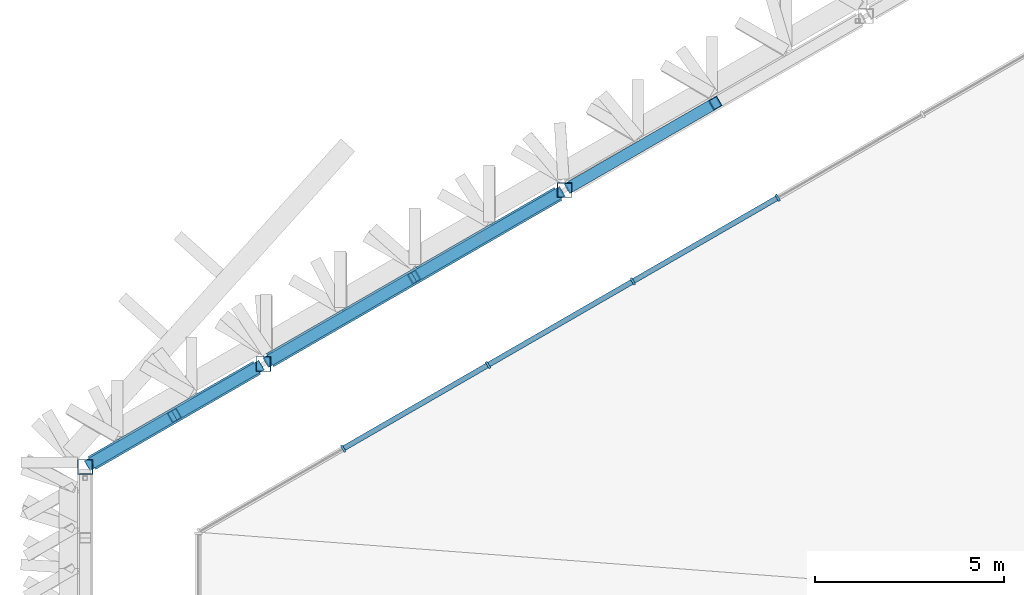
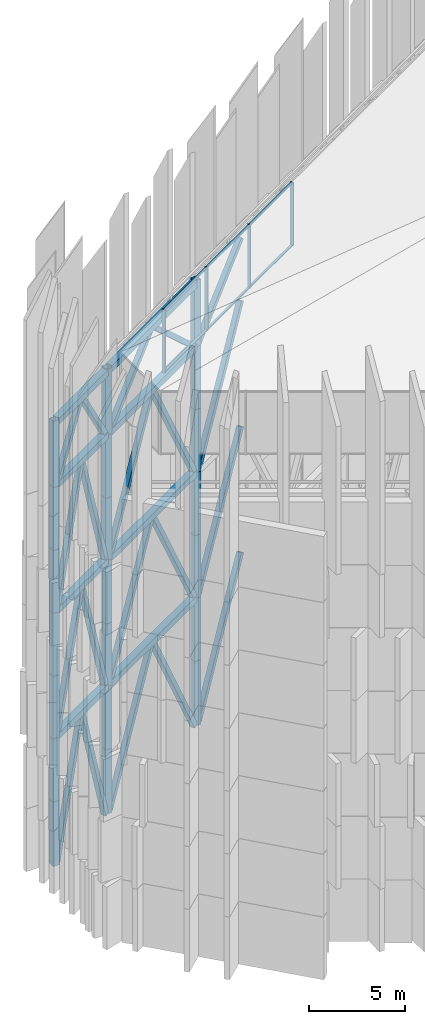
# One storey, part 10 of 45: 59 members, 1 element without a shape of its own.
"""IFC4 building model written with IfcOpenShell, lengths in metres."""

from ifc_helpers import new_model, si_unit, direction, frame, origin, origin_2d, place, context, subcontext, project, spatial, rectangle, hollow_rectangle, extrude, material, layer, layer_set, material_profile, profile_set, type_object, element, aggregate, save


model = new_model("IFC4")

# Units and contexts
model_context = context("Model", 3, precision=1e-05, world=origin(), true_north=direction((0.0, 1.0)))
body_context = subcontext(model_context, "Body", "Model", "MODEL_VIEW")
ifc_project = project(units=[si_unit("LENGTHUNIT", "METRE"), si_unit("AREAUNIT", "SQUARE_METRE"), si_unit("VOLUMEUNIT", "CUBIC_METRE"), si_unit("PLANEANGLEUNIT", "RADIAN"), si_unit("MASSUNIT", "GRAM", prefix="KILO")], contexts=[model_context])

# Site, building, storey
site_placement = place(None, origin())
site = spatial("IfcSite", under=ifc_project, at=site_placement, CompositionType="ELEMENT")
building_placement = place(site_placement, origin())
building = spatial("IfcBuilding", under=site, at=building_placement, Name="Jabali Bay Hotel Tower and Convention Centre", CompositionType="ELEMENT")
storey_placement = place(building_placement, frame((0.0, 0.0, 322.39990234375)))
storey = spatial("IfcBuildingStorey", under=building, at=storey_placement, Name="Crown", CompositionType="ELEMENT", Elevation=322.39990234375)

# Curtain wall, members
ifc_material_1 = material(Name="Aluminium and glass", Category="aluminium")
ifc_layer = layer(ifc_material_1, 0.199951171875)
ifc_layer_set = layer_set([ifc_layer], Name="Aluminium and glass")
curtain_wall_type = type_object("IfcCurtainWallType", Name="CW6 curtain wall", PredefinedType="NOTDEFINED", material=ifc_layer_set)
curtain_wall_placement = place(storey_placement, origin())
curtain_wall = element("IfcCurtainWall", 1, at=curtain_wall_placement, inside=storey, type_object=curtain_wall_type, Name="CW6 lantern glazing 3", PredefinedType="NOTDEFINED")
ifc_material_2 = material(Name="Aluminium", Category="aluminium")
ifc_material_profile_1 = material_profile(ifc_material_2, rectangle(XDim=0.199951171875, YDim=0.06005859375, at=origin_2d()), Name="CW6 mullion 60 x 200")
ifc_profile_set_1 = profile_set([ifc_material_profile_1], Name="Aluminium")
member_type_1 = type_object("IfcMemberType", Name="CW6 mullion 60 x 200", PredefinedType="MULLION", material=ifc_profile_set_1)
member_1_placement = place(storey_placement, frame((63.585693359375, 90.90234375, 28.35009765625), z_axis=(0.0, 0.0, 1.0), x_axis=(0.500000005124, -0.866025400826, 0.0)))
member_1 = element("IfcMember", 2, at=member_1_placement, type_object=member_type_1, Name="CW6 mullion 7", PredefinedType="MULLION", context=body_context, shape_type="SweptSolid", body=[
    extrude(rectangle(XDim=0.199951171875, YDim=0.06005859375, at=origin_2d()), origin(), (0.0, 0.0, 1.0), 4.0),
])
member_2_placement = place(storey_placement, frame((59.74560546875, 88.685302734375, 28.35009765625), z_axis=(0.0, 0.0, 1.0), x_axis=(0.500000005124, -0.866025400826, 0.0)))
member_2 = element("IfcMember", 3, at=member_2_placement, type_object=member_type_1, Name="CW6 mullion 8", PredefinedType="MULLION", context=body_context, shape_type="SweptSolid", body=[
    extrude(rectangle(XDim=0.199951171875, YDim=0.06005859375, at=origin_2d()), origin(), (0.0, 0.0, 1.0), 4.0),
])
member_3_placement = place(storey_placement, frame((55.90576171875, 86.46826171875, 28.35009765625), z_axis=(0.0, 0.0, 1.0), x_axis=(0.500000005124, -0.866025400826, 0.0)))
member_3 = element("IfcMember", 4, at=member_3_placement, type_object=member_type_1, Name="CW6 mullion 9", PredefinedType="MULLION", context=body_context, shape_type="SweptSolid", body=[
    extrude(rectangle(XDim=0.199951171875, YDim=0.06005859375, at=origin_2d()), origin(), (0.0, 0.0, 1.0), 4.0),
])
member_4_placement = place(storey_placement, frame((52.06591796875, 84.251220703125, 28.35009765625), z_axis=(0.0, 0.0, 1.0), x_axis=(0.500000005124, -0.866025400826, 0.0)))
member_4 = element("IfcMember", 5, at=member_4_placement, type_object=member_type_1, Name="CW6 mullion 10", PredefinedType="MULLION", context=body_context, shape_type="SweptSolid", body=[
    extrude(rectangle(XDim=0.199951171875, YDim=0.06005859375, at=origin_2d()), origin(), (0.0, 0.0, 1.0), 4.0),
])
ifc_material_profile_2 = material_profile(ifc_material_2, rectangle(XDim=0.139892578125, YDim=0.06005859375, at=origin_2d()), Name="CW6 transom 60 x 140")
ifc_profile_set_2 = profile_set([ifc_material_profile_2], Name="Aluminium")
member_type_2 = type_object("IfcMemberType", Name="CW6 transom 60 x 140", PredefinedType="USERDEFINED", material=ifc_profile_set_2)
member_5_placement = place(storey_placement, frame((63.5595703125, 90.88720703125, 28.380126953125), z_axis=(-0.866015480101, -0.500017187931, 0.0), x_axis=(0.500017187931, -0.866015480101, 0.0)))
member_5 = element("IfcMember", 6, at=member_5_placement, type_object=member_type_2, Name="CW6 transom 7.1", ObjectType="TRANSOM", PredefinedType="USERDEFINED", context=body_context, shape_type="SweptSolid", body=[
    extrude(rectangle(XDim=0.139892578125, YDim=0.06005859375, at=origin_2d()), origin(), (0.0, 0.0, 1.0), 4.373779296875),
])
member_6_placement = place(storey_placement, frame((63.5595703125, 90.88720703125, 32.320068359375), z_axis=(-0.866015480101, -0.500017187931, 0.0), x_axis=(0.500017187931, -0.866015480101, 0.0)))
member_6 = element("IfcMember", 7, at=member_6_placement, type_object=member_type_2, Name="CW6 transom 7.2", ObjectType="TRANSOM", PredefinedType="USERDEFINED", context=body_context, shape_type="SweptSolid", body=[
    extrude(rectangle(XDim=0.139892578125, YDim=0.06005859375, at=origin_2d()), origin(), (0.0, 0.0, 1.0), 4.373779296875),
])
member_7_placement = place(storey_placement, frame((59.7197265625, 88.670166015625, 28.380126953125), z_axis=(-0.866015480101, -0.500017187931, 0.0), x_axis=(0.500017187931, -0.866015480101, 0.0)))
member_7 = element("IfcMember", 8, at=member_7_placement, type_object=member_type_2, Name="CW6 transom 8.1", ObjectType="TRANSOM", PredefinedType="USERDEFINED", context=body_context, shape_type="SweptSolid", body=[
    extrude(rectangle(XDim=0.139892578125, YDim=0.06005859375, at=origin_2d()), origin(), (0.0, 0.0, 1.0), 4.373779296875),
])
member_8_placement = place(storey_placement, frame((59.7197265625, 88.670166015625, 32.320068359375), z_axis=(-0.866015480101, -0.500017187931, 0.0), x_axis=(0.500017187931, -0.866015480101, 0.0)))
member_8 = element("IfcMember", 9, at=member_8_placement, type_object=member_type_2, Name="CW6 transom 8.2", ObjectType="TRANSOM", PredefinedType="USERDEFINED", context=body_context, shape_type="SweptSolid", body=[
    extrude(rectangle(XDim=0.139892578125, YDim=0.06005859375, at=origin_2d()), origin(), (0.0, 0.0, 1.0), 4.373779296875),
])
member_9_placement = place(storey_placement, frame((55.8798828125, 86.453125, 28.380126953125), z_axis=(-0.866053602686, -0.499951154889, 0.0), x_axis=(0.499951154889, -0.866053602686, 0.0)))
member_9 = element("IfcMember", 10, at=member_9_placement, type_object=member_type_2, Name="CW6 transom 9.1", ObjectType="TRANSOM", PredefinedType="USERDEFINED", context=body_context, shape_type="SweptSolid", body=[
    extrude(rectangle(XDim=0.139892578125, YDim=0.06005859375, at=origin_2d()), origin(), (0.0, 0.0, 1.0), 4.3740234375),
])
member_10_placement = place(storey_placement, frame((55.8798828125, 86.453125, 32.320068359375), z_axis=(-0.866053602686, -0.499951154889, 0.0), x_axis=(0.499951154889, -0.866053602686, 0.0)))
member_10 = element("IfcMember", 11, at=member_10_placement, type_object=member_type_2, Name="CW6 transom 9.2", ObjectType="TRANSOM", PredefinedType="USERDEFINED", context=body_context, shape_type="SweptSolid", body=[
    extrude(rectangle(XDim=0.139892578125, YDim=0.06005859375, at=origin_2d()), origin(), (0.0, 0.0, 1.0), 4.3740234375),
])
aggregate(curtain_wall, [member_1, member_2, member_3, member_4, member_5, member_6, member_7, member_8, member_9, member_10])

# Members
ifc_material_3 = material(Name="Steel Q420GJC", Category="steel")
ifc_material_profile_3 = material_profile(ifc_material_3, hollow_rectangle(XDim=0.300048828125, YDim=0.300048828125, WallThickness=0.01611328125, at=origin_2d()), Name="Crown frame brace 300x300x16")
ifc_profile_set_3 = profile_set([ifc_material_profile_3], Name="Steel Q420GJC")
member_type_3 = type_object("IfcMemberType", Name="Crown frame brace 300x300x16", PredefinedType="USERDEFINED", material=ifc_profile_set_3)
for number, where, z_axis, x_axis, name in (
    (12, (58.111572265625, 91.205810546875, -0.099853515625), (0.415356517765, 0.239807408653, 0.877480125077), (-0.5000018942, 0.866024310165, 0.0), "Crown brace 1 F1.3-F1.4r"),
    (13, (57.765380859375, 91.005859375, -0.099853515625), (-0.41535916138, -0.239782392735, 0.877485709964), (0.499960387168, -0.866048273056, 0.0), "Crown brace 1 F1.4-F1.5l"),
    (14, (50.12451171875, 86.594482421875, -0.099853515625), (0.415334554415, 0.239810052348, 0.877489798631), (-0.50002585838, 0.866010473927, 0.0), "Crown brace 1 F1.4-F1.5r"),
):
    element("IfcMember", number, at=place(storey_placement, frame(where, z_axis=z_axis, x_axis=x_axis)), inside=storey, type_object=member_type_3, Name=name, ObjectType="CROWN FRAME", PredefinedType="USERDEFINED", context=body_context, shape_type="SweptSolid", body=[
        extrude(hollow_rectangle(XDim=0.300048828125, YDim=0.300048828125, WallThickness=0.01611328125, at=origin_2d()), origin(), (0.0, 0.0, 1.0), 9.1982421875),
    ])
for number, where, z_axis, x_axis, name in (
    (15, (49.778076171875, 86.39453125, -0.099853515625), (-0.258862256531, -0.14946351074, 0.954280352465), (0.500023377642, -0.866011906276, 0.0), "Crown brace 1 F1.5-V3l"),
    (16, (45.399169921875, 83.8662109375, -0.099853515625), (0.258862256531, 0.14946351074, 0.954280352465), (-0.500023377642, 0.866011906276, 0.0), "Crown brace 1 F1.5-V3r"),
):
    element("IfcMember", number, at=place(storey_placement, frame(where, z_axis=z_axis, x_axis=x_axis)), inside=storey, type_object=member_type_3, Name=name, ObjectType="CROWN FRAME", PredefinedType="USERDEFINED", context=body_context, shape_type="SweptSolid", body=[
        extrude(hollow_rectangle(XDim=0.300048828125, YDim=0.300048828125, WallThickness=0.01611328125, at=origin_2d()), origin(), (0.0, 0.0, 1.0), 8.4580078125),
    ])
member_11_placement = place(storey_placement, frame((58.111572265625, 91.205810546875, 7.971435546875), z_axis=(0.419345319905, 0.242110356275, 0.874946900136), x_axis=(-0.5000018942, 0.866024310165, 0.0)))
element("IfcMember", 17, at=member_11_placement, inside=storey, type_object=member_type_3, Name="Crown brace 2 F1.3-F1.4r", ObjectType="CROWN FRAME", PredefinedType="USERDEFINED", context=body_context, shape_type="SweptSolid", body=[
    extrude(hollow_rectangle(XDim=0.300048828125, YDim=0.300048828125, WallThickness=0.01611328125, at=origin_2d()), origin(), (0.0, 0.0, 1.0), 9.11083984375),
])
for number, where, z_axis, x_axis, name in (
    (18, (57.765380859375, 91.005859375, 7.971435546875), (-0.419348040417, -0.242085129857, 0.874952576372), (0.499960387168, -0.866048273056, 0.0), "Crown brace 2 F1.4-F1.5l"),
    (19, (50.12451171875, 86.594482421875, 7.971435546875), (0.419323234848, 0.242113076869, 0.874956731916), (-0.50002585838, 0.866010473927, 0.0), "Crown brace 2 F1.4-F1.5r"),
):
    element("IfcMember", number, at=place(storey_placement, frame(where, z_axis=z_axis, x_axis=x_axis)), inside=storey, type_object=member_type_3, Name=name, ObjectType="CROWN FRAME", PredefinedType="USERDEFINED", context=body_context, shape_type="SweptSolid", body=[
        extrude(hollow_rectangle(XDim=0.300048828125, YDim=0.300048828125, WallThickness=0.01611328125, at=origin_2d()), origin(), (0.0, 0.0, 1.0), 9.110595703125),
    ])
for number, where, z_axis, x_axis, name in (
    (20, (49.778076171875, 86.39453125, 7.971435546875), (-0.261810179426, -0.151165600922, 0.953207422887), (0.500023377642, -0.866011906276, 0.0), "Crown brace 2 F1.5-V3l"),
    (21, (45.399169921875, 83.8662109375, 7.971435546875), (0.261810179426, 0.151165600922, 0.953207422887), (-0.500023377642, 0.866011906276, 0.0), "Crown brace 2 F1.5-V3r"),
):
    element("IfcMember", number, at=place(storey_placement, frame(where, z_axis=z_axis, x_axis=x_axis)), inside=storey, type_object=member_type_3, Name=name, ObjectType="CROWN FRAME", PredefinedType="USERDEFINED", context=body_context, shape_type="SweptSolid", body=[
        extrude(hollow_rectangle(XDim=0.300048828125, YDim=0.300048828125, WallThickness=0.01611328125, at=origin_2d()), origin(), (0.0, 0.0, 1.0), 8.36279296875),
    ])
member_12_placement = place(storey_placement, frame((58.111572265625, 91.205810546875, 15.94287109375), z_axis=(0.419345319905, 0.242110356275, 0.874946900136), x_axis=(-0.5000018942, 0.866024310165, 0.0)))
element("IfcMember", 22, at=member_12_placement, inside=storey, type_object=member_type_3, Name="Crown brace 3 F1.3-F1.4r", ObjectType="CROWN FRAME", PredefinedType="USERDEFINED", context=body_context, shape_type="SweptSolid", body=[
    extrude(hollow_rectangle(XDim=0.300048828125, YDim=0.300048828125, WallThickness=0.01611328125, at=origin_2d()), origin(), (0.0, 0.0, 1.0), 9.11083984375),
])
for number, where, z_axis, x_axis, name in (
    (23, (57.765380859375, 91.005859375, 15.94287109375), (-0.419348040417, -0.242085129857, 0.874952576372), (0.499960387168, -0.866048273056, 0.0), "Crown brace 3 F1.4-F1.5l"),
    (24, (50.12451171875, 86.594482421875, 15.94287109375), (0.419323234848, 0.242113076869, 0.874956731916), (-0.50002585838, 0.866010473927, 0.0), "Crown brace 3 F1.4-F1.5r"),
):
    element("IfcMember", number, at=place(storey_placement, frame(where, z_axis=z_axis, x_axis=x_axis)), inside=storey, type_object=member_type_3, Name=name, ObjectType="CROWN FRAME", PredefinedType="USERDEFINED", context=body_context, shape_type="SweptSolid", body=[
        extrude(hollow_rectangle(XDim=0.300048828125, YDim=0.300048828125, WallThickness=0.01611328125, at=origin_2d()), origin(), (0.0, 0.0, 1.0), 9.110595703125),
    ])
for number, where, z_axis, x_axis, name in (
    (25, (49.778076171875, 86.39453125, 15.94287109375), (-0.261810179426, -0.151165600922, 0.953207422887), (0.500023377642, -0.866011906276, 0.0), "Crown brace 3 F1.5-V3l"),
    (26, (45.399169921875, 83.8662109375, 15.94287109375), (0.261810179426, 0.151165600922, 0.953207422887), (-0.500023377642, 0.866011906276, 0.0), "Crown brace 3 F1.5-V3r"),
):
    element("IfcMember", number, at=place(storey_placement, frame(where, z_axis=z_axis, x_axis=x_axis)), inside=storey, type_object=member_type_3, Name=name, ObjectType="CROWN FRAME", PredefinedType="USERDEFINED", context=body_context, shape_type="SweptSolid", body=[
        extrude(hollow_rectangle(XDim=0.300048828125, YDim=0.300048828125, WallThickness=0.01611328125, at=origin_2d()), origin(), (0.0, 0.0, 1.0), 8.36279296875),
    ])
member_13_placement = place(storey_placement, frame((58.111572265625, 91.205810546875, 23.914306640625), z_axis=(0.642594518952, 0.371003992506, 0.67039415403), x_axis=(-0.5000018942, 0.866024310165, 0.0)))
element("IfcMember", 27, at=member_13_placement, inside=storey, type_object=member_type_3, Name="Crown brace 4 F1.3-F1.4r", ObjectType="CROWN FRAME", PredefinedType="USERDEFINED", context=body_context, shape_type="SweptSolid", body=[
    extrude(hollow_rectangle(XDim=0.300048828125, YDim=0.300048828125, WallThickness=0.01611328125, at=origin_2d()), origin(), (0.0, 0.0, 1.0), 5.945556640625),
])
for number, where, z_axis, x_axis, name in (
    (28, (57.765380859375, 91.005859375, 23.914306640625), (-0.642604308258, -0.370968580791, 0.670404366837), (0.499960387168, -0.866048273056, 0.0), "Crown brace 4 F1.4-F1.5l"),
    (29, (50.12451171875, 86.594482421875, 23.914306640625), (0.642570411062, 0.371013782205, 0.67041184375), (-0.50002585838, 0.866010473927, 0.0), "Crown brace 4 F1.4-F1.5r"),
):
    element("IfcMember", number, at=place(storey_placement, frame(where, z_axis=z_axis, x_axis=x_axis)), inside=storey, type_object=member_type_3, Name=name, ObjectType="CROWN FRAME", PredefinedType="USERDEFINED", context=body_context, shape_type="SweptSolid", body=[
        extrude(hollow_rectangle(XDim=0.300048828125, YDim=0.300048828125, WallThickness=0.01611328125, at=origin_2d()), origin(), (0.0, 0.0, 1.0), 5.9453125),
    ])
for number, where, z_axis, x_axis, name in (
    (30, (49.778076171875, 86.39453125, 23.914306640625), (-0.463863802529, -0.267828587142, 0.844451431767), (0.500023377642, -0.866011906276, 0.0), "Crown brace 4 F1.5-V3l"),
    (31, (45.399169921875, 83.8662109375, 23.914306640625), (0.463863802529, 0.267828587142, 0.844451431767), (-0.500023377642, 0.866011906276, 0.0), "Crown brace 4 F1.5-V3r"),
):
    element("IfcMember", number, at=place(storey_placement, frame(where, z_axis=z_axis, x_axis=x_axis)), inside=storey, type_object=member_type_3, Name=name, ObjectType="CROWN FRAME", PredefinedType="USERDEFINED", context=body_context, shape_type="SweptSolid", body=[
        extrude(hollow_rectangle(XDim=0.300048828125, YDim=0.300048828125, WallThickness=0.01611328125, at=origin_2d()), origin(), (0.0, 0.0, 1.0), 4.719970703125),
    ])
ifc_material_profile_4 = material_profile(ifc_material_3, hollow_rectangle(XDim=0.39990234375, YDim=0.39990234375, WallThickness=0.02001953125, at=origin_2d()), Name="Crown frame member 400x400x20")
ifc_profile_set_4 = profile_set([ifc_material_profile_4], Name="Steel Q420GJC")
member_type_4 = type_object("IfcMemberType", Name="Crown frame member 400x400x20", PredefinedType="USERDEFINED", material=ifc_profile_set_4)
for number, where, z_axis, x_axis, name in (
    (32, (57.9384765625, 91.10595703125, -0.099853515625), (0.0, 0.0, 1.0), (1.0, 0.0, 0.0), "Crown post F1.4 1"),
    (33, (49.951416015625, 86.49462890625, -0.099853515625), (0.0, 0.0, 1.0), (1.0, 0.0, 0.0), "Crown post F1.5 1"),
    (34, (45.225830078125, 83.766357421875, -0.099853515625), (0.0, 0.0, 1.0), (1.0, 0.0, 0.0), "Crown post V3 1"),
):
    element("IfcMember", number, at=place(storey_placement, frame(where, z_axis=z_axis, x_axis=x_axis)), inside=storey, type_object=member_type_4, Name=name, ObjectType="CROWN FRAME", PredefinedType="USERDEFINED", context=body_context, shape_type="SweptSolid", body=[
        extrude(hollow_rectangle(XDim=0.39990234375, YDim=0.39990234375, WallThickness=0.02001953125, at=origin_2d()), origin(), (0.0, 0.0, 1.0), 4.085693359375),
    ])
for number, where, z_axis, x_axis, name in (
    (35, (57.9384765625, 91.10595703125, 3.98583984375), (0.0, 0.0, 1.0), (1.0, 0.0, 0.0), "Crown post F1.4 2"),
    (36, (49.951416015625, 86.49462890625, 3.98583984375), (0.0, 0.0, 1.0), (1.0, 0.0, 0.0), "Crown post F1.5 2"),
    (37, (45.225830078125, 83.766357421875, 3.98583984375), (0.0, 0.0, 1.0), (1.0, 0.0, 0.0), "Crown post V3 2"),
):
    element("IfcMember", number, at=place(storey_placement, frame(where, z_axis=z_axis, x_axis=x_axis)), inside=storey, type_object=member_type_4, Name=name, ObjectType="CROWN FRAME", PredefinedType="USERDEFINED", context=body_context, shape_type="SweptSolid", body=[
        extrude(hollow_rectangle(XDim=0.39990234375, YDim=0.39990234375, WallThickness=0.02001953125, at=origin_2d()), origin(), (0.0, 0.0, 1.0), 3.985595703125),
    ])
for number, where, z_axis, x_axis, name in (
    (38, (57.9384765625, 91.10595703125, 7.971435546875), (0.0, 0.0, 1.0), (1.0, 0.0, 0.0), "Crown post F1.4 3"),
    (39, (49.951416015625, 86.49462890625, 7.971435546875), (0.0, 0.0, 1.0), (1.0, 0.0, 0.0), "Crown post F1.5 3"),
    (40, (45.225830078125, 83.766357421875, 7.971435546875), (0.0, 0.0, 1.0), (1.0, 0.0, 0.0), "Crown post V3 3"),
):
    element("IfcMember", number, at=place(storey_placement, frame(where, z_axis=z_axis, x_axis=x_axis)), inside=storey, type_object=member_type_4, Name=name, ObjectType="CROWN FRAME", PredefinedType="USERDEFINED", context=body_context, shape_type="SweptSolid", body=[
        extrude(hollow_rectangle(XDim=0.39990234375, YDim=0.39990234375, WallThickness=0.02001953125, at=origin_2d()), origin(), (0.0, 0.0, 1.0), 3.98583984375),
    ])
for number, where, z_axis, x_axis, name in (
    (41, (57.9384765625, 91.10595703125, 11.957275390625), (0.0, 0.0, 1.0), (1.0, 0.0, 0.0), "Crown post F1.4 4"),
    (42, (49.951416015625, 86.49462890625, 11.957275390625), (0.0, 0.0, 1.0), (1.0, 0.0, 0.0), "Crown post F1.5 4"),
    (43, (45.225830078125, 83.766357421875, 11.957275390625), (0.0, 0.0, 1.0), (1.0, 0.0, 0.0), "Crown post V3 4"),
):
    element("IfcMember", number, at=place(storey_placement, frame(where, z_axis=z_axis, x_axis=x_axis)), inside=storey, type_object=member_type_4, Name=name, ObjectType="CROWN FRAME", PredefinedType="USERDEFINED", context=body_context, shape_type="SweptSolid", body=[
        extrude(hollow_rectangle(XDim=0.39990234375, YDim=0.39990234375, WallThickness=0.02001953125, at=origin_2d()), origin(), (0.0, 0.0, 1.0), 3.985595703125),
    ])
for number, where, z_axis, x_axis, name in (
    (44, (57.9384765625, 91.10595703125, 15.94287109375), (0.0, 0.0, 1.0), (1.0, 0.0, 0.0), "Crown post F1.4 5"),
    (45, (49.951416015625, 86.49462890625, 15.94287109375), (0.0, 0.0, 1.0), (1.0, 0.0, 0.0), "Crown post F1.5 5"),
    (46, (45.225830078125, 83.766357421875, 15.94287109375), (0.0, 0.0, 1.0), (1.0, 0.0, 0.0), "Crown post V3 5"),
):
    element("IfcMember", number, at=place(storey_placement, frame(where, z_axis=z_axis, x_axis=x_axis)), inside=storey, type_object=member_type_4, Name=name, ObjectType="CROWN FRAME", PredefinedType="USERDEFINED", context=body_context, shape_type="SweptSolid", body=[
        extrude(hollow_rectangle(XDim=0.39990234375, YDim=0.39990234375, WallThickness=0.02001953125, at=origin_2d()), origin(), (0.0, 0.0, 1.0), 3.98583984375),
    ])
for number, where, z_axis, x_axis, name in (
    (47, (57.9384765625, 91.10595703125, 19.9287109375), (0.0, 0.0, 1.0), (1.0, 0.0, 0.0), "Crown post F1.4 6"),
    (48, (49.951416015625, 86.49462890625, 19.9287109375), (0.0, 0.0, 1.0), (1.0, 0.0, 0.0), "Crown post F1.5 6"),
    (49, (45.225830078125, 83.766357421875, 19.9287109375), (0.0, 0.0, 1.0), (1.0, 0.0, 0.0), "Crown post V3 6"),
):
    element("IfcMember", number, at=place(storey_placement, frame(where, z_axis=z_axis, x_axis=x_axis)), inside=storey, type_object=member_type_4, Name=name, ObjectType="CROWN FRAME", PredefinedType="USERDEFINED", context=body_context, shape_type="SweptSolid", body=[
        extrude(hollow_rectangle(XDim=0.39990234375, YDim=0.39990234375, WallThickness=0.02001953125, at=origin_2d()), origin(), (0.0, 0.0, 1.0), 3.985595703125),
    ])
for number, where, z_axis, x_axis, name in (
    (50, (57.9384765625, 91.10595703125, 23.914306640625), (0.0, 0.0, 1.0), (1.0, 0.0, 0.0), "Crown post F1.4 7"),
    (51, (49.951416015625, 86.49462890625, 23.914306640625), (0.0, 0.0, 1.0), (1.0, 0.0, 0.0), "Crown post F1.5 7"),
    (52, (45.225830078125, 83.766357421875, 23.914306640625), (0.0, 0.0, 1.0), (1.0, 0.0, 0.0), "Crown post V3 7"),
):
    element("IfcMember", number, at=place(storey_placement, frame(where, z_axis=z_axis, x_axis=x_axis)), inside=storey, type_object=member_type_4, Name=name, ObjectType="CROWN FRAME", PredefinedType="USERDEFINED", context=body_context, shape_type="SweptSolid", body=[
        extrude(hollow_rectangle(XDim=0.39990234375, YDim=0.39990234375, WallThickness=0.02001953125, at=origin_2d()), origin(), (0.0, 0.0, 1.0), 4.185791015625),
    ])
member_14_placement = place(storey_placement, frame((57.765380859375, 91.005859375, 7.971435546875), z_axis=(-0.866029374302, -0.499993122799, 0.0), x_axis=(0.499993122799, -0.866029374302, 0.0)))
element("IfcMember", 53, at=member_14_placement, inside=storey, type_object=member_type_4, Name="Crown ring 330.371 F1.4-F1.5", ObjectType="CROWN FRAME", PredefinedType="USERDEFINED", context=body_context, shape_type="SweptSolid", body=[
    extrude(hollow_rectangle(XDim=0.39990234375, YDim=0.39990234375, WallThickness=0.02001953125, at=origin_2d()), origin(), (0.0, 0.0, 1.0), 8.82275390625),
])
member_15_placement = place(storey_placement, frame((49.778076171875, 86.39453125, 7.971435546875), z_axis=(-0.866011906276, -0.500023377642, 0.0), x_axis=(0.500023377642, -0.866011906276, 0.0)))
element("IfcMember", 54, at=member_15_placement, inside=storey, type_object=member_type_4, Name="Crown ring 330.371 F1.5-V3", ObjectType="CROWN FRAME", PredefinedType="USERDEFINED", context=body_context, shape_type="SweptSolid", body=[
    extrude(hollow_rectangle(XDim=0.39990234375, YDim=0.39990234375, WallThickness=0.02001953125, at=origin_2d()), origin(), (0.0, 0.0, 1.0), 5.056396484375),
])
member_16_placement = place(storey_placement, frame((57.765380859375, 91.005859375, 15.94287109375), z_axis=(-0.866029374302, -0.499993122799, 0.0), x_axis=(0.499993122799, -0.866029374302, 0.0)))
element("IfcMember", 55, at=member_16_placement, inside=storey, type_object=member_type_4, Name="Crown ring 338.343 F1.4-F1.5", ObjectType="CROWN FRAME", PredefinedType="USERDEFINED", context=body_context, shape_type="SweptSolid", body=[
    extrude(hollow_rectangle(XDim=0.39990234375, YDim=0.39990234375, WallThickness=0.02001953125, at=origin_2d()), origin(), (0.0, 0.0, 1.0), 8.82275390625),
])
member_17_placement = place(storey_placement, frame((49.778076171875, 86.39453125, 15.94287109375), z_axis=(-0.866011906276, -0.500023377642, 0.0), x_axis=(0.500023377642, -0.866011906276, 0.0)))
element("IfcMember", 56, at=member_17_placement, inside=storey, type_object=member_type_4, Name="Crown ring 338.343 F1.5-V3", ObjectType="CROWN FRAME", PredefinedType="USERDEFINED", context=body_context, shape_type="SweptSolid", body=[
    extrude(hollow_rectangle(XDim=0.39990234375, YDim=0.39990234375, WallThickness=0.02001953125, at=origin_2d()), origin(), (0.0, 0.0, 1.0), 5.056396484375),
])
member_18_placement = place(storey_placement, frame((57.765380859375, 91.005859375, 23.914306640625), z_axis=(-0.866029374302, -0.499993122799, 0.0), x_axis=(0.499993122799, -0.866029374302, 0.0)))
element("IfcMember", 57, at=member_18_placement, inside=storey, type_object=member_type_4, Name="Crown ring 346.314 F1.4-F1.5", ObjectType="CROWN FRAME", PredefinedType="USERDEFINED", context=body_context, shape_type="SweptSolid", body=[
    extrude(hollow_rectangle(XDim=0.39990234375, YDim=0.39990234375, WallThickness=0.02001953125, at=origin_2d()), origin(), (0.0, 0.0, 1.0), 8.82275390625),
])
member_19_placement = place(storey_placement, frame((49.778076171875, 86.39453125, 23.914306640625), z_axis=(-0.866011906276, -0.500023377642, 0.0), x_axis=(0.500023377642, -0.866011906276, 0.0)))
element("IfcMember", 58, at=member_19_placement, inside=storey, type_object=member_type_4, Name="Crown ring 346.314 F1.5-V3", ObjectType="CROWN FRAME", PredefinedType="USERDEFINED", context=body_context, shape_type="SweptSolid", body=[
    extrude(hollow_rectangle(XDim=0.39990234375, YDim=0.39990234375, WallThickness=0.02001953125, at=origin_2d()), origin(), (0.0, 0.0, 1.0), 5.056396484375),
])
member_20_placement = place(storey_placement, frame((57.765380859375, 91.005859375, 27.900146484375), z_axis=(-0.866029374302, -0.499993122799, 0.0), x_axis=(0.499993122799, -0.866029374302, 0.0)))
element("IfcMember", 59, at=member_20_placement, inside=storey, type_object=member_type_4, Name="Crown ring 350.3 F1.4-F1.5", ObjectType="CROWN FRAME", PredefinedType="USERDEFINED", context=body_context, shape_type="SweptSolid", body=[
    extrude(hollow_rectangle(XDim=0.39990234375, YDim=0.39990234375, WallThickness=0.02001953125, at=origin_2d()), origin(), (0.0, 0.0, 1.0), 8.82275390625),
])
member_21_placement = place(storey_placement, frame((49.778076171875, 86.39453125, 27.900146484375), z_axis=(-0.866011906276, -0.500023377642, 0.0), x_axis=(0.500023377642, -0.866011906276, 0.0)))
element("IfcMember", 60, at=member_21_placement, inside=storey, type_object=member_type_4, Name="Crown ring 350.3 F1.5-V3", ObjectType="CROWN FRAME", PredefinedType="USERDEFINED", context=body_context, shape_type="SweptSolid", body=[
    extrude(hollow_rectangle(XDim=0.39990234375, YDim=0.39990234375, WallThickness=0.02001953125, at=origin_2d()), origin(), (0.0, 0.0, 1.0), 5.056396484375),
])

save(model, "model.ifc")
